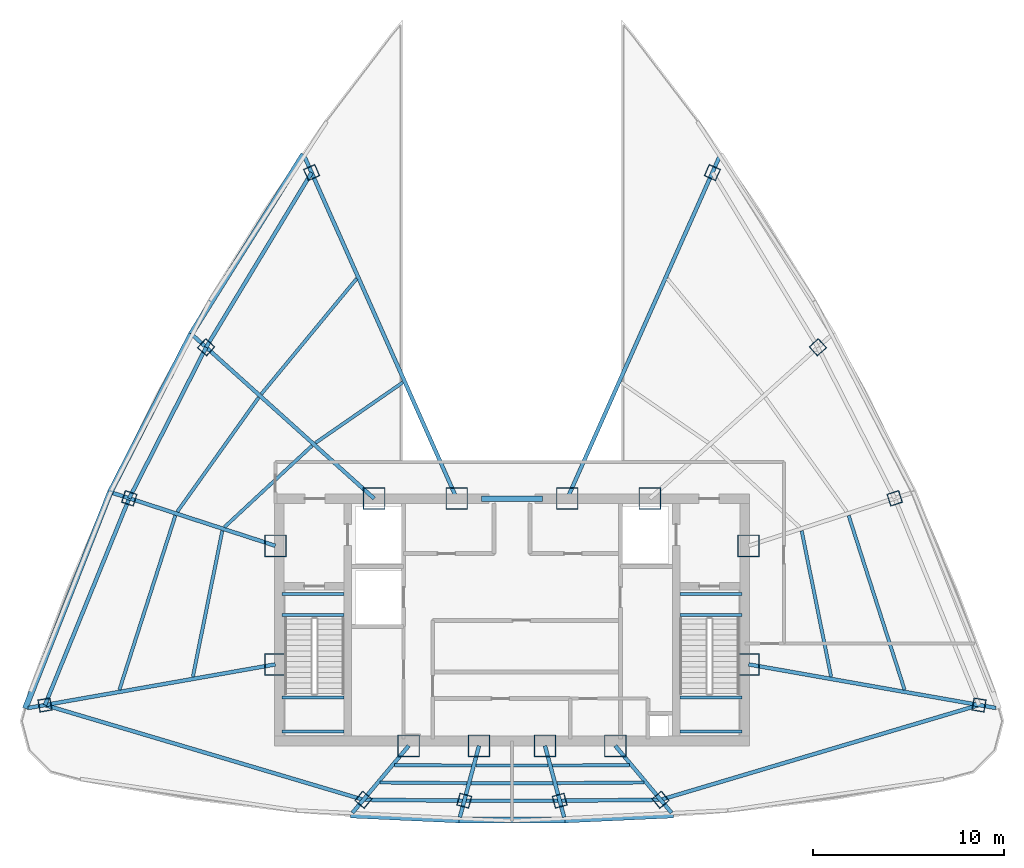
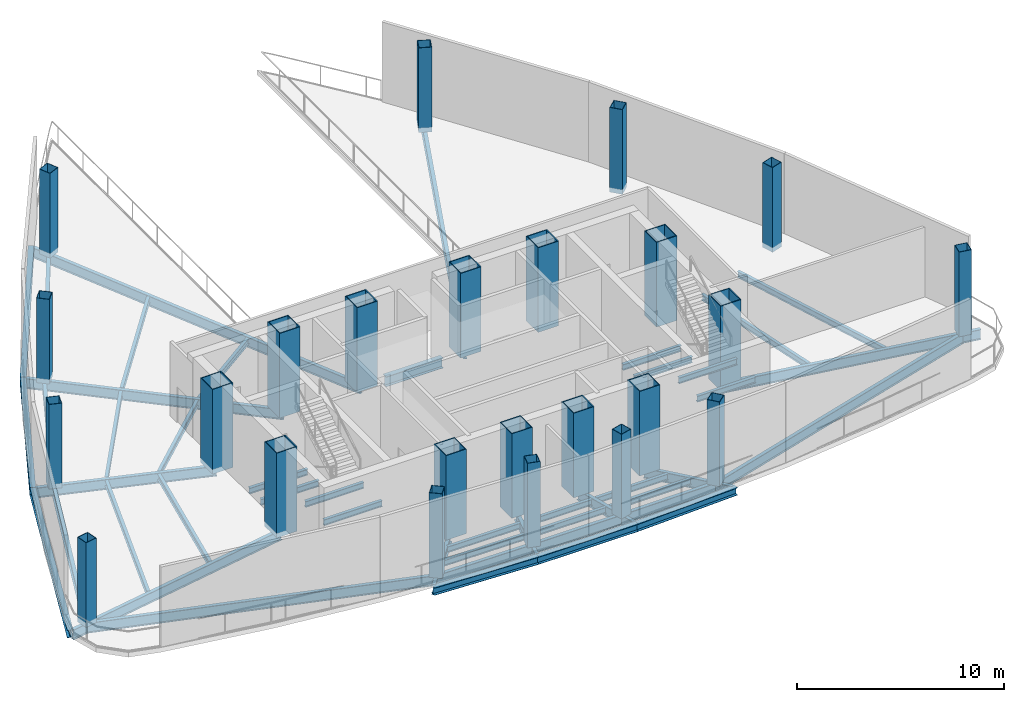
# One storey, part 1 of 6: 47 beams, 24 columns.
"""IFC4 building model written with IfcOpenShell, lengths in metres."""

from ifc_helpers import new_model, si_unit, direction, frame, origin, origin_2d, place, context, subcontext, project, spatial, hollow_rectangle, i_section, extrude, source, transform, mapped, material, material_profile, profile_set, type_object, element, save


model = new_model("IFC4")

# Units and contexts
model_context = context("Model", 3, precision=1e-05, world=origin(), true_north=direction((0.0, 1.0)))
body_context = subcontext(model_context, "Body", "Model", "MODEL_VIEW")
ifc_project = project(units=[si_unit("LENGTHUNIT", "METRE"), si_unit("AREAUNIT", "SQUARE_METRE"), si_unit("VOLUMEUNIT", "CUBIC_METRE"), si_unit("PLANEANGLEUNIT", "RADIAN"), si_unit("MASSUNIT", "GRAM", prefix="KILO"), si_unit("THERMODYNAMICTEMPERATUREUNIT", "KELVIN"), si_unit("POWERUNIT", "WATT")], contexts=[model_context])

# Site, building, storey
site_placement = place(None, origin())
site = spatial("IfcSite", under=ifc_project, at=site_placement, CompositionType="ELEMENT")
building_placement = place(site_placement, origin())
building = spatial("IfcBuilding", under=site, at=building_placement, Name="Yunzhuo Pagoda Commons", CompositionType="ELEMENT")
storey_placement = place(building_placement, frame((0.0, 0.0, 381.760009765625)))
storey = spatial("IfcBuildingStorey", under=building, at=storey_placement, Name="L95", CompositionType="ELEMENT", Elevation=381.760009765625)

# Columns
ifc_material_1 = material(Name="Structural steel Q420B", Category="steel")
ifc_material_profile_1 = material_profile(ifc_material_1, hollow_rectangle(XDim=1.14990234375, YDim=1.14990234375, WallThickness=0.048095703125, at=origin_2d()), Name="Structural steel Q420B")
ifc_profile_set_1 = profile_set([ifc_material_profile_1], Name="Structural steel Q420B")
column_type_1 = type_object("IfcColumnType", Name="C-COR Column BOX 1150x1150x48", PredefinedType="COLUMN", material=ifc_profile_set_1)
shared_shape_1 = source(origin(), body_context, "Body", "SweptSolid", [
    extrude(hollow_rectangle(XDim=1.14990234375, YDim=1.14990234375, WallThickness=0.048095703125, at=origin_2d()), origin(), (0.0, 0.0, 1.0), 5.0),
])
for number, where, z_axis, x_axis, name in (
    (1, (42.587890625, 27.25, -0.27978515625), (0.0, 0.0, 1.0), (1.0, 0.0, 0.0), "L95 core composite column F1C1"),
    (2, (46.27197265625, 27.25, -0.27978515625), (0.0, 0.0, 1.0), (1.0, 0.0, 0.0), "L95 core composite column F1C2"),
    (3, (49.728515625, 27.25, -0.27978515625), (0.0, 0.0, 1.0), (1.0, 0.0, 0.0), "L95 core composite column F1C3"),
    (4, (53.412109375, 27.25, -0.27978515625), (0.0, 0.0, 1.0), (1.0, 0.0, 0.0), "L95 core composite column F1C4"),
    (5, (60.39990234375, 31.513427734375, -0.27978515625), (0.0, 0.0, 1.0), (1.0, 0.0, 0.0), "L95 core composite column F2C1"),
    (6, (60.39990234375, 37.72900390625, -0.27978515625), (0.0, 0.0, 1.0), (1.0, 0.0, 0.0), "L95 core composite column F2C2"),
    (7, (55.218994140625, 40.199951171875, -0.27978515625), (0.0, 0.0, 1.0), (1.0, 0.0, 0.0), "L95 core composite column F2C3"),
    (8, (50.89404296875, 40.199951171875, -0.27978515625), (0.0, 0.0, 1.0), (1.0, 0.0, 0.0), "L95 core composite column F2C4"),
    (9, (45.10595703125, 40.199951171875, -0.27978515625), (0.0, 0.0, 1.0), (1.0, 0.0, 0.0), "L95 core composite column F3C1"),
    (10, (40.781005859375, 40.199951171875, -0.27978515625), (0.0, 0.0, 1.0), (1.0, 0.0, 0.0), "L95 core composite column F3C2"),
    (11, (35.60009765625, 37.72900390625, -0.27978515625), (0.0, 0.0, 1.0), (1.0, 0.0, 0.0), "L95 core composite column F3C3"),
    (12, (35.60009765625, 31.513427734375, -0.27978515625), (0.0, 0.0, 1.0), (1.0, 0.0, 0.0), "L95 core composite column F3C4"),
):
    element("IfcColumn", number, at=place(storey_placement, frame(where, z_axis=z_axis, x_axis=x_axis)), inside=storey, type_object=column_type_1, Name=name, PredefinedType="COLUMN", context=body_context, shape_type="MappedRepresentation", body=[
        mapped(shared_shape_1, transform((0.0, 0.0, 0.0), scale=1.0)),
    ])
ifc_material_2 = material(Name="Structural steel Q355B", Category="steel")
ifc_material_profile_2 = material_profile(ifc_material_2, hollow_rectangle(XDim=0.64990234375, YDim=0.64990234375, WallThickness=0.02392578125, at=origin_2d()), Name="Structural steel Q355B")
ifc_profile_set_2 = profile_set([ifc_material_profile_2], Name="Structural steel Q355B")
column_type_2 = type_object("IfcColumnType", Name="C-CRN Column BOX 650x650x24", PredefinedType="COLUMN", material=ifc_profile_set_2)
shared_shape_2 = source(origin(), body_context, "Body", "SweptSolid", [
    extrude(hollow_rectangle(XDim=0.64990234375, YDim=0.64990234375, WallThickness=0.02392578125, at=origin_2d()), origin(), (0.0, 0.0, 1.0), 5.0),
])
for number, where, z_axis, x_axis, name in (
    (13, (40.214599609375, 24.421630859375, -0.27978515625), (0.0, 0.0, 1.0), (0.766044443119, -0.642787609687, 0.0), "L95 tower column F1C1"),
    (14, (45.500732421875, 24.372802734375, -0.27978515625), (0.0, 0.0, 1.0), (0.965925826289, -0.258819045103, 0.0), "L95 tower column F1C2"),
    (15, (50.499267578125, 24.372802734375, -0.27978515625), (0.0, 0.0, 1.0), (0.965925826289, 0.258819045103, 0.0), "L95 tower column F1C3"),
    (16, (55.785400390625, 24.421630859375, -0.27978515625), (0.0, 0.0, 1.0), (0.766044443119, 0.642787609687, 0.0), "L95 tower column F1C4"),
    (17, (72.47021484375, 29.38525390625, -0.27978515625), (0.0, 0.0, 1.0), (0.173648177667, 0.984807753012, 0.0), "L95 tower column F2C1"),
    (18, (68.053466796875, 40.2158203125, -0.27978515625), (0.0, 0.0, 1.0), (-0.309016994375, 0.951056516295, 0.0), "L95 tower column F2C2"),
    (19, (64.024658203125, 48.128662109375, -0.27978515625), (0.0, 0.0, 1.0), (-0.669130606359, 0.743144825477, 0.0), "L95 tower column F2C3"),
    (20, (58.498779296875, 57.281005859375, -0.27978515625), (0.0, 0.0, 1.0), (-0.913545457643, 0.406736643076, 0.0), "L95 tower column F2C4"),
    (21, (37.501220703125, 57.281005859375, -0.27978515625), (0.0, 0.0, 1.0), (-0.913545457643, -0.406736643076, 0.0), "L95 tower column F3C1"),
    (22, (31.975341796875, 48.128662109375, -0.27978515625), (0.0, 0.0, 1.0), (-0.669130606359, -0.743144825477, 0.0), "L95 tower column F3C2"),
    (23, (27.946533203125, 40.2158203125, -0.27978515625), (0.0, 0.0, 1.0), (-0.309016994375, -0.951056516295, 0.0), "L95 tower column F3C3"),
    (24, (23.52978515625, 29.38525390625, -0.27978515625), (0.0, 0.0, 1.0), (0.173648177667, -0.984807753012, 0.0), "L95 tower column F3C4"),
):
    element("IfcColumn", number, at=place(storey_placement, frame(where, z_axis=z_axis, x_axis=x_axis)), inside=storey, type_object=column_type_2, Name=name, PredefinedType="COLUMN", context=body_context, shape_type="MappedRepresentation", body=[
        mapped(shared_shape_2, transform((0.0, 0.0, 0.0), scale=1.0)),
    ])

# Beams
ifc_material_profile_3 = material_profile(ifc_material_2, i_section(OverallWidth=0.175048828125, OverallDepth=0.35009765625, WebThickness=0.007080078125, FlangeThickness=0.010986328125, at=origin_2d()), Name="Structural steel Q355B")
ifc_profile_set_3 = profile_set([ifc_material_profile_3], Name="Structural steel Q355B")
beam_type_1 = type_object("IfcBeamType", Name="B-JS2 Joist HN 350x175x7x11", PredefinedType="JOIST", material=ifc_profile_set_3)
shared_shape_3 = source(origin(), body_context, "Body", "SweptSolid", [
    extrude(i_section(OverallWidth=0.175048828125, OverallDepth=0.35009765625, WebThickness=0.007080078125, FlangeThickness=0.010986328125, at=origin_2d()), origin(), (0.0, 0.0, 1.0), 3.25),
])
for number, where, z_axis, x_axis, name in (
    (25, (35.949951171875, 28.0, 2.125), (1.0, 0.0, 0.0), (0.0, 1.0, 0.0), "L95 ST1 landing support beam 101A"),
    (26, (35.949951171875, 29.780029296875, 2.125), (1.0, 0.0, 0.0), (0.0, 1.0, 0.0), "L95 ST1 landing support beam 101B"),
    (27, (35.949951171875, 34.10009765625, -0.375), (1.0, 0.0, 0.0), (0.0, 1.0, 0.0), "L95 ST1 landing support beam 199A"),
    (28, (35.949951171875, 35.199951171875, -0.375), (1.0, 0.0, 0.0), (0.0, 1.0, 0.0), "L95 ST1 landing support beam 199B"),
    (29, (56.800048828125, 28.0, 2.125), (1.0, 0.0, 0.0), (0.0, 1.0, 0.0), "L95 ST2 landing support beam 101A"),
    (30, (56.800048828125, 29.780029296875, 2.125), (1.0, 0.0, 0.0), (0.0, 1.0, 0.0), "L95 ST2 landing support beam 101B"),
    (31, (56.800048828125, 34.10009765625, -0.375), (1.0, 0.0, 0.0), (0.0, 1.0, 0.0), "L95 ST2 landing support beam 199A"),
    (32, (56.800048828125, 35.199951171875, -0.375), (1.0, 0.0, 0.0), (0.0, 1.0, 0.0), "L95 ST2 landing support beam 199B"),
):
    element("IfcBeam", number, at=place(storey_placement, frame(where, z_axis=z_axis, x_axis=x_axis)), inside=storey, type_object=beam_type_1, Name=name, PredefinedType="JOIST", context=body_context, shape_type="MappedRepresentation", body=[
        mapped(shared_shape_3, transform((0.0, 0.0, 0.0), scale=1.0)),
    ])
ifc_material_profile_4 = material_profile(ifc_material_1, i_section(OverallWidth=0.300048828125, OverallDepth=0.587890625, WebThickness=0.011962890625, FlangeThickness=0.02001953125, at=origin_2d()), Name="Structural steel Q420B")
ifc_profile_set_4 = profile_set([ifc_material_profile_4], Name="Structural steel Q420B")
beam_type_2 = type_object("IfcBeamType", Name="B-CPL Beam HM 588x300x12x20", PredefinedType="BEAM", material=ifc_profile_set_4)
shared_shape_4 = source(origin(), body_context, "Body", "SweptSolid", [
    extrude(i_section(OverallWidth=0.300048828125, OverallDepth=0.587890625, WebThickness=0.011962890625, FlangeThickness=0.02001953125, at=origin_2d()), origin(), (0.0, 0.0, 1.0), 3.2001953125),
])
beam_1_placement = place(storey_placement, frame((46.39990234375, 40.199951171875, -0.573974609375), z_axis=(1.0, 0.0, 0.0), x_axis=(0.0, 1.0, 0.0)))
element("IfcBeam", 33, at=beam_1_placement, inside=storey, type_object=beam_type_2, Name="L95 core coupling girder", PredefinedType="BEAM", context=body_context, shape_type="MappedRepresentation", body=[
    mapped(shared_shape_4, transform((0.0, 0.0, 0.0), scale=1.0)),
])
ifc_material_profile_5 = material_profile(ifc_material_2, i_section(OverallWidth=0.199951171875, OverallDepth=0.60009765625, WebThickness=0.010986328125, FlangeThickness=0.01708984375, at=origin_2d()), Name="Structural steel Q355B")
ifc_profile_set_5 = profile_set([ifc_material_profile_5], Name="Structural steel Q355B")
beam_type_3 = type_object("IfcBeamType", Name="B-RG3 Beam HN 600x200x11x17", PredefinedType="BEAM", material=ifc_profile_set_5)
shared_shape_5 = source(origin(), body_context, "Body", "SweptSolid", [
    extrude(i_section(OverallWidth=0.199951171875, OverallDepth=0.60009765625, WebThickness=0.010986328125, FlangeThickness=0.01708984375, at=origin_2d()), origin(), (0.0, 0.0, 1.0), 5.286376953125),
])
for number, where, z_axis, x_axis, name in (
    (34, (40.214599609375, 24.421630859375, -0.580078125), (0.999957341442, -0.009236627946, 0.0), (0.009236627946, 0.999957341442, 0.0), "L95 column-ring beam 1"),
    (35, (50.499267578125, 24.372802734375, -0.580078125), (0.999957341442, 0.009236627946, 0.0), (-0.009236627946, 0.999957341442, 0.0), "L95 column-ring beam 3"),
):
    element("IfcBeam", number, at=place(storey_placement, frame(where, z_axis=z_axis, x_axis=x_axis)), inside=storey, type_object=beam_type_3, Name=name, PredefinedType="BEAM", context=body_context, shape_type="MappedRepresentation", body=[
        mapped(shared_shape_5, transform((0.0, 0.0, 0.0), scale=1.0)),
    ])
shared_shape_6 = source(origin(), body_context, "Body", "SweptSolid", [
    extrude(i_section(OverallWidth=0.199951171875, OverallDepth=0.60009765625, WebThickness=0.010986328125, FlangeThickness=0.01708984375, at=origin_2d()), origin(), (0.0, 0.0, 1.0), 4.99853515625),
])
beam_2_placement = place(storey_placement, frame((45.500732421875, 24.372802734375, -0.580078125), z_axis=(1.0, 0.0, 0.0), x_axis=(0.0, 1.0, 0.0)))
element("IfcBeam", 36, at=beam_2_placement, inside=storey, type_object=beam_type_3, Name="L95 column-ring beam 2", PredefinedType="BEAM", context=body_context, shape_type="MappedRepresentation", body=[
    mapped(shared_shape_6, transform((0.0, 0.0, 0.0), scale=1.0)),
])
shared_shape_7 = source(origin(), body_context, "Body", "SweptSolid", [
    extrude(i_section(OverallWidth=0.199951171875, OverallDepth=0.60009765625, WebThickness=0.010986328125, FlangeThickness=0.01708984375, at=origin_2d()), origin(), (0.0, 0.0, 1.0), 17.407470703125),
])
for number, where, z_axis, x_axis, name in (
    (37, (55.785400390625, 24.421630859375, -0.580078125), (0.958484984609, 0.285143006717, 0.0), (-0.285143006717, 0.958484984609, 0.0), "L95 column-ring beam 4"),
    (38, (23.52978515625, 29.38525390625, -0.580078125), (0.958484984609, -0.285143006717, 0.0), (0.285143006717, 0.958484984609, 0.0), "L95 column-ring beam 12"),
):
    element("IfcBeam", number, at=place(storey_placement, frame(where, z_axis=z_axis, x_axis=x_axis)), inside=storey, type_object=beam_type_3, Name=name, PredefinedType="BEAM", context=body_context, shape_type="MappedRepresentation", body=[
        mapped(shared_shape_7, transform((0.0, 0.0, 0.0), scale=1.0)),
    ])
shared_shape_8 = source(origin(), body_context, "Body", "SweptSolid", [
    extrude(i_section(OverallWidth=0.199951171875, OverallDepth=0.60009765625, WebThickness=0.010986328125, FlangeThickness=0.01708984375, at=origin_2d()), origin(), (0.0, 0.0, 1.0), 11.696533203125),
])
beam_3_placement = place(storey_placement, frame((27.946533203125, 40.2158203125, -0.580078125), z_axis=(-0.377611800863, -0.925963999219, 0.0), x_axis=(0.925963999219, -0.377611800863, 0.0)))
element("IfcBeam", 39, at=beam_3_placement, inside=storey, type_object=beam_type_3, Name="L95 column-ring beam 11", PredefinedType="BEAM", context=body_context, shape_type="MappedRepresentation", body=[
    mapped(shared_shape_8, transform((0.0, 0.0, 0.0), scale=1.0)),
])
shared_shape_9 = source(origin(), body_context, "Body", "SweptSolid", [
    extrude(i_section(OverallWidth=0.199951171875, OverallDepth=0.60009765625, WebThickness=0.010986328125, FlangeThickness=0.01708984375, at=origin_2d()), origin(), (0.0, 0.0, 1.0), 8.87939453125),
])
beam_4_placement = place(storey_placement, frame((31.975341796875, 48.128662109375, -0.580078125), z_axis=(-0.453723535687, -0.891142498798, 0.0), x_axis=(0.891142498798, -0.453723535687, 0.0)))
element("IfcBeam", 40, at=beam_4_placement, inside=storey, type_object=beam_type_3, Name="L95 column-ring beam 10", PredefinedType="BEAM", context=body_context, shape_type="MappedRepresentation", body=[
    mapped(shared_shape_9, transform((0.0, 0.0, 0.0), scale=1.0)),
])
shared_shape_10 = source(origin(), body_context, "Body", "SweptSolid", [
    extrude(i_section(OverallWidth=0.199951171875, OverallDepth=0.60009765625, WebThickness=0.010986328125, FlangeThickness=0.01708984375, at=origin_2d()), origin(), (0.0, 0.0, 1.0), 10.691162109375),
])
beam_5_placement = place(storey_placement, frame((37.501220703125, 57.281005859375, -0.580078125), z_axis=(-0.516864678433, -0.856067114301, 0.0), x_axis=(0.856067114301, -0.516864678433, 0.0)))
element("IfcBeam", 41, at=beam_5_placement, inside=storey, type_object=beam_type_3, Name="L95 column-ring beam 9", PredefinedType="BEAM", context=body_context, shape_type="MappedRepresentation", body=[
    mapped(shared_shape_10, transform((0.0, 0.0, 0.0), scale=1.0)),
])
shared_shape_11 = source(origin(), body_context, "Body", "SweptSolid", [
    extrude(i_section(OverallWidth=0.175048828125, OverallDepth=0.35009765625, WebThickness=0.007080078125, FlangeThickness=0.010986328125, at=origin_2d()), origin(), (0.0, 0.0, 1.0), 4.03076171875),
])
for number, where, z_axis, x_axis, name in (
    (42, (41.848388671875, 26.231201171875, -0.455078125), (0.999991518197, -0.004118680996, 0.0), (0.004118680996, 0.999991518197, 0.0), "L95 composite ring joist 1.1"),
    (43, (50.120849609375, 26.214599609375, -0.455078125), (0.999991518197, 0.004118680996, 0.0), (-0.004118680996, 0.999991518197, 0.0), "L95 composite ring joist 1.3"),
):
    element("IfcBeam", number, at=place(storey_placement, frame(where, z_axis=z_axis, x_axis=x_axis)), inside=storey, type_object=beam_type_1, Name=name, PredefinedType="JOIST", context=body_context, shape_type="MappedRepresentation", body=[
        mapped(shared_shape_11, transform((0.0, 0.0, 0.0), scale=1.0)),
    ])
shared_shape_12 = source(origin(), body_context, "Body", "SweptSolid", [
    extrude(i_section(OverallWidth=0.175048828125, OverallDepth=0.35009765625, WebThickness=0.007080078125, FlangeThickness=0.010986328125, at=origin_2d()), origin(), (0.0, 0.0, 1.0), 4.54345703125),
])
for number, where, z_axis, x_axis, name in (
    (44, (41.089111328125, 25.325927734375, -0.455078125), (0.999975976237, -0.006931590593, 0.0), (0.006931590593, 0.999975976237, 0.0), "L95 composite ring joist 2.1"),
    (45, (50.367431640625, 25.29443359375, -0.455078125), (0.999975976237, 0.006931590593, 0.0), (-0.006931590593, 0.999975976237, 0.0), "L95 composite ring joist 2.3"),
):
    element("IfcBeam", number, at=place(storey_placement, frame(where, z_axis=z_axis, x_axis=x_axis)), inside=storey, type_object=beam_type_1, Name=name, PredefinedType="JOIST", context=body_context, shape_type="MappedRepresentation", body=[
        mapped(shared_shape_12, transform((0.0, 0.0, 0.0), scale=1.0)),
    ])
shared_shape_13 = source(origin(), body_context, "Body", "SweptSolid", [
    extrude(i_section(OverallWidth=0.175048828125, OverallDepth=0.35009765625, WebThickness=0.007080078125, FlangeThickness=0.010986328125, at=origin_2d()), origin(), (0.0, 0.0, 1.0), 3.78173828125),
])
beam_6_placement = place(storey_placement, frame((46.109130859375, 26.214111328125, -0.455078125), z_axis=(1.0, 0.0, 0.0), x_axis=(0.0, 1.0, 0.0)))
element("IfcBeam", 46, at=beam_6_placement, inside=storey, type_object=beam_type_1, Name="L95 composite ring joist 1.2", PredefinedType="JOIST", context=body_context, shape_type="MappedRepresentation", body=[
    mapped(shared_shape_13, transform((0.0, 0.0, 0.0), scale=1.0)),
])
shared_shape_14 = source(origin(), body_context, "Body", "SweptSolid", [
    extrude(i_section(OverallWidth=0.175048828125, OverallDepth=0.35009765625, WebThickness=0.007080078125, FlangeThickness=0.010986328125, at=origin_2d()), origin(), (0.0, 0.0, 1.0), 4.27490234375),
])
beam_7_placement = place(storey_placement, frame((45.862548828125, 25.29345703125, -0.455078125), z_axis=(1.0, 0.0, 0.0), x_axis=(0.0, 1.0, 0.0)))
element("IfcBeam", 47, at=beam_7_placement, inside=storey, type_object=beam_type_1, Name="L95 composite ring joist 2.2", PredefinedType="JOIST", context=body_context, shape_type="MappedRepresentation", body=[
    mapped(shared_shape_14, transform((0.0, 0.0, 0.0), scale=1.0)),
])
shared_shape_15 = source(origin(), body_context, "Body", "SweptSolid", [
    extrude(i_section(OverallWidth=0.175048828125, OverallDepth=0.35009765625, WebThickness=0.007080078125, FlangeThickness=0.010986328125, at=origin_2d()), origin(), (0.0, 0.0, 1.0), 7.8056640625),
])
for number, where, z_axis, x_axis, name in (
    (48, (64.722412109375, 30.860107421875, -0.455078125), (-0.197830082137, 0.980236327934, 0.0), (-0.980236327934, -0.197830082137, 0.0), "L95 composite ring joist 1.5"),
    (49, (32.822265625, 38.511474609375, -0.455078125), (-0.197890187791, -0.980224195568, 0.0), (0.980224195568, -0.197890187791, 0.0), "L95 composite ring joist 1.11"),
):
    element("IfcBeam", number, at=place(storey_placement, frame(where, z_axis=z_axis, x_axis=x_axis)), inside=storey, type_object=beam_type_1, Name=name, PredefinedType="JOIST", context=body_context, shape_type="MappedRepresentation", body=[
        mapped(shared_shape_15, transform((0.0, 0.0, 0.0), scale=1.0)),
    ])
shared_shape_16 = source(origin(), body_context, "Body", "SweptSolid", [
    extrude(i_section(OverallWidth=0.175048828125, OverallDepth=0.35009765625, WebThickness=0.007080078125, FlangeThickness=0.010986328125, at=origin_2d()), origin(), (0.0, 0.0, 1.0), 9.593994140625),
])
for number, where, z_axis, x_axis, name in (
    (50, (68.572509765625, 30.17578125, -0.455078125), (-0.305719218499, 0.952121714614, 0.0), (-0.952121714614, -0.305719218499, 0.0), "L95 composite ring joist 2.5"),
    (51, (30.360595703125, 39.310546875, -0.455078125), (-0.305719218499, -0.952121714614, 0.0), (0.952121714614, -0.305719218499, 0.0), "L95 composite ring joist 2.11"),
):
    element("IfcBeam", number, at=place(storey_placement, frame(where, z_axis=z_axis, x_axis=x_axis)), inside=storey, type_object=beam_type_1, Name=name, PredefinedType="JOIST", context=body_context, shape_type="MappedRepresentation", body=[
        mapped(shared_shape_16, transform((0.0, 0.0, 0.0), scale=1.0)),
    ])
shared_shape_17 = source(origin(), body_context, "Body", "SweptSolid", [
    extrude(i_section(OverallWidth=0.175048828125, OverallDepth=0.35009765625, WebThickness=0.007080078125, FlangeThickness=0.010986328125, at=origin_2d()), origin(), (0.0, 0.0, 1.0), 6.277099609375),
])
beam_8_placement = place(storey_placement, frame((37.526611328125, 42.97607421875, -0.455078125), z_axis=(-0.73244154109, -0.68082992655, 0.0), x_axis=(0.68082992655, -0.73244154109, 0.0)))
element("IfcBeam", 52, at=beam_8_placement, inside=storey, type_object=beam_type_1, Name="L95 composite ring joist 1.10", PredefinedType="JOIST", context=body_context, shape_type="MappedRepresentation", body=[
    mapped(shared_shape_17, transform((0.0, 0.0, 0.0), scale=1.0)),
])
shared_shape_18 = source(origin(), body_context, "Body", "SweptSolid", [
    extrude(i_section(OverallWidth=0.175048828125, OverallDepth=0.35009765625, WebThickness=0.007080078125, FlangeThickness=0.010986328125, at=origin_2d()), origin(), (0.0, 0.0, 1.0), 7.347900390625),
])
beam_9_placement = place(storey_placement, frame((34.726318359375, 45.497802734375, -0.455078125), z_axis=(-0.580294898948, -0.814406428177, 0.0), x_axis=(0.814406428177, -0.580294898948, 0.0)))
element("IfcBeam", 53, at=beam_9_placement, inside=storey, type_object=beam_type_1, Name="L95 composite ring joist 2.10", PredefinedType="JOIST", context=body_context, shape_type="MappedRepresentation", body=[
    mapped(shared_shape_18, transform((0.0, 0.0, 0.0), scale=1.0)),
])
shared_shape_19 = source(origin(), body_context, "Body", "SweptSolid", [
    extrude(i_section(OverallWidth=0.175048828125, OverallDepth=0.35009765625, WebThickness=0.007080078125, FlangeThickness=0.010986328125, at=origin_2d()), origin(), (0.0, 0.0, 1.0), 5.556640625),
])
beam_10_placement = place(storey_placement, frame((42.273681640625, 46.28369140625, -0.455078125), z_axis=(-0.822084621883, -0.569365326011, 0.0), x_axis=(0.569365326011, -0.822084621883, 0.0)))
element("IfcBeam", 54, at=beam_10_placement, inside=storey, type_object=beam_type_1, Name="L95 composite ring joist 1.9", PredefinedType="JOIST", context=body_context, shape_type="MappedRepresentation", body=[
    mapped(shared_shape_19, transform((0.0, 0.0, 0.0), scale=1.0)),
])
shared_shape_20 = source(origin(), body_context, "Body", "SweptSolid", [
    extrude(i_section(OverallWidth=0.175048828125, OverallDepth=0.35009765625, WebThickness=0.007080078125, FlangeThickness=0.010986328125, at=origin_2d()), origin(), (0.0, 0.0, 1.0), 7.842529296875),
])
beam_11_placement = place(storey_placement, frame((39.861328125, 51.726318359375, -0.455078125), z_axis=(-0.636899145749, -0.770947130577, 0.0), x_axis=(0.770947130577, -0.636899145749, 0.0)))
element("IfcBeam", 55, at=beam_11_placement, inside=storey, type_object=beam_type_1, Name="L95 composite ring joist 2.9", PredefinedType="JOIST", context=body_context, shape_type="MappedRepresentation", body=[
    mapped(shared_shape_20, transform((0.0, 0.0, 0.0), scale=1.0)),
])
shared_shape_21 = source(origin(), body_context, "Body", "SweptSolid", [
    extrude(i_section(OverallWidth=0.199951171875, OverallDepth=0.60009765625, WebThickness=0.010986328125, FlangeThickness=0.01708984375, at=origin_2d()), origin(), (0.0, 0.0, 1.0), 4.587158203125),
])
for number, where, z_axis, x_axis, name in (
    (56, (39.639404296875, 23.736083984375, -0.580078125), (0.642782581433, 0.766048662297, 0.0), (-0.766048662297, 0.642782581433, 0.0), "L95 radial floor girder F1C1"),
    (57, (56.360595703125, 23.736083984375, -0.580078125), (-0.642782581433, 0.766048662297, 0.0), (-0.766048662297, -0.642782581433, 0.0), "L95 radial floor girder F1C4"),
):
    element("IfcBeam", number, at=place(storey_placement, frame(where, z_axis=z_axis, x_axis=x_axis)), inside=storey, type_object=beam_type_3, Name=name, PredefinedType="BEAM", context=body_context, shape_type="MappedRepresentation", body=[
        mapped(shared_shape_21, transform((0.0, 0.0, 0.0), scale=1.0)),
    ])
shared_shape_22 = source(origin(), body_context, "Body", "SweptSolid", [
    extrude(i_section(OverallWidth=0.199951171875, OverallDepth=0.60009765625, WebThickness=0.010986328125, FlangeThickness=0.01708984375, at=origin_2d()), origin(), (0.0, 0.0, 1.0), 3.873779296875),
])
beam_12_placement = place(storey_placement, frame((45.269287109375, 23.50830078125, -0.580078125), z_axis=(0.258843194056, 0.965919355273, 0.0), x_axis=(-0.965919355273, 0.258843194056, 0.0)))
element("IfcBeam", 58, at=beam_12_placement, inside=storey, type_object=beam_type_3, Name="L95 radial floor girder F1C2", PredefinedType="BEAM", context=body_context, shape_type="MappedRepresentation", body=[
    mapped(shared_shape_22, transform((0.0, 0.0, 0.0), scale=1.0)),
])
shared_shape_23 = source(origin(), body_context, "Body", "SweptSolid", [
    extrude(i_section(OverallWidth=0.199951171875, OverallDepth=0.60009765625, WebThickness=0.010986328125, FlangeThickness=0.01708984375, at=origin_2d()), origin(), (0.0, 0.0, 1.0), 3.87353515625),
])
beam_13_placement = place(storey_placement, frame((50.730712890625, 23.50830078125, -0.580078125), z_axis=(-0.258725583844, 0.965950864312, 0.0), x_axis=(-0.965950864312, -0.258725583844, 0.0)))
element("IfcBeam", 59, at=beam_13_placement, inside=storey, type_object=beam_type_3, Name="L95 radial floor girder F1C3", PredefinedType="BEAM", context=body_context, shape_type="MappedRepresentation", body=[
    mapped(shared_shape_23, transform((0.0, 0.0, 0.0), scale=1.0)),
])
shared_shape_24 = source(origin(), body_context, "Body", "SweptSolid", [
    extrude(i_section(OverallWidth=0.199951171875, OverallDepth=0.60009765625, WebThickness=0.010986328125, FlangeThickness=0.01708984375, at=origin_2d()), origin(), (0.0, 0.0, 1.0), 13.151611328125),
])
beam_14_placement = place(storey_placement, frame((73.351806640625, 29.229736328125, -0.580078125), z_axis=(-0.98480877727, 0.173642368713, 0.0), x_axis=(-0.173642368713, -0.98480877727, 0.0)))
element("IfcBeam", 60, at=beam_14_placement, inside=storey, type_object=beam_type_3, Name="L95 radial floor girder F2C1", PredefinedType="BEAM", context=body_context, shape_type="MappedRepresentation", body=[
    mapped(shared_shape_24, transform((0.0, 0.0, 0.0), scale=1.0)),
])
shared_shape_25 = source(origin(), body_context, "Body", "SweptSolid", [
    extrude(i_section(OverallWidth=0.199951171875, OverallDepth=0.60009765625, WebThickness=0.010986328125, FlangeThickness=0.01708984375, at=origin_2d()), origin(), (0.0, 0.0, 1.0), 8.942626953125),
])
beam_15_placement = place(storey_placement, frame((27.09521484375, 40.492431640625, -0.580078125), z_axis=(0.951055734301, -0.309019401095, 0.0), x_axis=(0.309019401095, 0.951055734301, 0.0)))
element("IfcBeam", 61, at=beam_15_placement, inside=storey, type_object=beam_type_3, Name="L95 radial floor girder F3C3", PredefinedType="BEAM", context=body_context, shape_type="MappedRepresentation", body=[
    mapped(shared_shape_25, transform((0.0, 0.0, 0.0), scale=1.0)),
])
shared_shape_26 = source(origin(), body_context, "Body", "SweptSolid", [
    extrude(i_section(OverallWidth=0.199951171875, OverallDepth=0.60009765625, WebThickness=0.010986328125, FlangeThickness=0.01708984375, at=origin_2d()), origin(), (0.0, 0.0, 1.0), 12.744140625),
])
beam_16_placement = place(storey_placement, frame((31.310302734375, 48.7275390625, -0.580078125), z_axis=(0.743139811769, -0.669136174605, 0.0), x_axis=(0.669136174605, 0.743139811769, 0.0)))
element("IfcBeam", 62, at=beam_16_placement, inside=storey, type_object=beam_type_3, Name="L95 radial floor girder F3C2", PredefinedType="BEAM", context=body_context, shape_type="MappedRepresentation", body=[
    mapped(shared_shape_26, transform((0.0, 0.0, 0.0), scale=1.0)),
])
shared_shape_27 = source(origin(), body_context, "Body", "SweptSolid", [
    extrude(i_section(OverallWidth=0.199951171875, OverallDepth=0.60009765625, WebThickness=0.010986328125, FlangeThickness=0.01708984375, at=origin_2d()), origin(), (0.0, 0.0, 1.0), 19.59228515625),
])
for number, where, z_axis, x_axis, name in (
    (63, (58.86279296875, 58.098388671875, -0.580078125), (-0.406730347382, -0.91354826064, 0.0), (0.91354826064, -0.406730347382, 0.0), "L95 radial floor girder F2C4"),
    (64, (37.13720703125, 58.098388671875, -0.580078125), (0.406730347382, -0.91354826064, 0.0), (0.91354826064, 0.406730347382, 0.0), "L95 radial floor girder F3C1"),
):
    element("IfcBeam", number, at=place(storey_placement, frame(where, z_axis=z_axis, x_axis=x_axis)), inside=storey, type_object=beam_type_3, Name=name, PredefinedType="BEAM", context=body_context, shape_type="MappedRepresentation", body=[
        mapped(shared_shape_27, transform((0.0, 0.0, 0.0), scale=1.0)),
    ])
shared_shape_28 = source(origin(), body_context, "Body", "SweptSolid", [
    extrude(i_section(OverallWidth=0.199951171875, OverallDepth=0.60009765625, WebThickness=0.010986328125, FlangeThickness=0.01708984375, at=origin_2d()), origin(), (0.0, 0.0, 1.0), 13.151123046875),
])
beam_17_placement = place(storey_placement, frame((22.648681640625, 29.229736328125, -0.580078125), z_axis=(0.984807657771, 0.173648717804, 0.0), x_axis=(-0.173648717804, 0.984807657771, 0.0)))
element("IfcBeam", 65, at=beam_17_placement, inside=storey, type_object=beam_type_3, Name="L95 radial floor girder F3C4", PredefinedType="BEAM", context=body_context, shape_type="MappedRepresentation", body=[
    mapped(shared_shape_28, transform((0.0, 0.0, 0.0), scale=1.0)),
])
ifc_material_profile_6 = material_profile(ifc_material_2, i_section(OverallWidth=0.300048828125, OverallDepth=0.43994140625, WebThickness=0.010986328125, FlangeThickness=0.01806640625, at=origin_2d()), Name="Structural steel Q355B")
ifc_profile_set_6 = profile_set([ifc_material_profile_6], Name="Structural steel Q355B")
beam_type_4 = type_object("IfcBeamType", Name="B-SP2 Beam HM 440x300x11x18", PredefinedType="BEAM", material=ifc_profile_set_6)
shared_shape_29 = source(origin(), body_context, "Body", "SweptSolid", [
    extrude(i_section(OverallWidth=0.300048828125, OverallDepth=0.43994140625, WebThickness=0.010986328125, FlangeThickness=0.01806640625, at=origin_2d()), origin(), (0.0, 0.0, 1.0), 5.6953125),
])
for number, where, z_axis, x_axis, name in (
    (66, (39.53955078125, 23.617431640625, -0.5), (0.998967125564, -0.045438772447, 0.0), (0.045438772447, 0.998967125564, 0.0), "L95 facade edge spandrel beam F1.1"),
    (67, (50.77099609375, 23.358642578125, -0.5), (0.998967125564, 0.045438772447, 0.0), (-0.045438772447, 0.998967125564, 0.0), "L95 facade edge spandrel beam F1.3"),
):
    element("IfcBeam", number, at=place(storey_placement, frame(where, z_axis=z_axis, x_axis=x_axis)), inside=storey, type_object=beam_type_4, Name=name, PredefinedType="BEAM", context=body_context, shape_type="MappedRepresentation", body=[
        mapped(shared_shape_29, transform((0.0, 0.0, 0.0), scale=1.0)),
    ])
shared_shape_30 = source(origin(), body_context, "Body", "SweptSolid", [
    extrude(i_section(OverallWidth=0.300048828125, OverallDepth=0.43994140625, WebThickness=0.010986328125, FlangeThickness=0.01806640625, at=origin_2d()), origin(), (0.0, 0.0, 1.0), 5.5419921875),
])
beam_18_placement = place(storey_placement, frame((45.22900390625, 23.358642578125, -0.5), z_axis=(1.0, 0.0, 0.0), x_axis=(0.0, 1.0, 0.0)))
element("IfcBeam", 68, at=beam_18_placement, inside=storey, type_object=beam_type_4, Name="L95 facade edge spandrel beam F1.2", PredefinedType="BEAM", context=body_context, shape_type="MappedRepresentation", body=[
    mapped(shared_shape_30, transform((0.0, 0.0, 0.0), scale=1.0)),
])
shared_shape_31 = source(origin(), body_context, "Body", "SweptSolid", [
    extrude(i_section(OverallWidth=0.300048828125, OverallDepth=0.43994140625, WebThickness=0.010986328125, FlangeThickness=0.01806640625, at=origin_2d()), origin(), (0.0, 0.0, 1.0), 12.18017578125),
])
beam_19_placement = place(storey_placement, frame((26.947998046875, 40.540283203125, -0.5), z_axis=(-0.365522138301, -0.930802646328, 0.0), x_axis=(0.930802646328, -0.365522138301, 0.0)))
element("IfcBeam", 69, at=beam_19_placement, inside=storey, type_object=beam_type_4, Name="L95 facade edge spandrel beam F3.3", PredefinedType="BEAM", context=body_context, shape_type="MappedRepresentation", body=[
    mapped(shared_shape_31, transform((0.0, 0.0, 0.0), scale=1.0)),
])
shared_shape_32 = source(origin(), body_context, "Body", "SweptSolid", [
    extrude(i_section(OverallWidth=0.300048828125, OverallDepth=0.43994140625, WebThickness=0.010986328125, FlangeThickness=0.01806640625, at=origin_2d()), origin(), (0.0, 0.0, 1.0), 9.3154296875),
])
beam_20_placement = place(storey_placement, frame((31.195068359375, 48.831298828125, -0.5), z_axis=(-0.455914353887, -0.89002365245, 0.0), x_axis=(0.89002365245, -0.455914353887, 0.0)))
element("IfcBeam", 70, at=beam_20_placement, inside=storey, type_object=beam_type_4, Name="L95 facade edge spandrel beam F3.2", PredefinedType="BEAM", context=body_context, shape_type="MappedRepresentation", body=[
    mapped(shared_shape_32, transform((0.0, 0.0, 0.0), scale=1.0)),
])
shared_shape_33 = source(origin(), body_context, "Body", "SweptSolid", [
    extrude(i_section(OverallWidth=0.300048828125, OverallDepth=0.43994140625, WebThickness=0.010986328125, FlangeThickness=0.01806640625, at=origin_2d()), origin(), (0.0, 0.0, 1.0), 11.094482421875),
])
beam_21_placement = place(storey_placement, frame((37.07421875, 58.239990234375, -0.5), z_axis=(-0.529915860294, -0.848050223164, 0.0), x_axis=(0.848050223164, -0.529915860294, 0.0)))
element("IfcBeam", 71, at=beam_21_placement, inside=storey, type_object=beam_type_4, Name="L95 facade edge spandrel beam F3.1", PredefinedType="BEAM", context=body_context, shape_type="MappedRepresentation", body=[
    mapped(shared_shape_33, transform((0.0, 0.0, 0.0), scale=1.0)),
])

save(model, "model.ifc")
